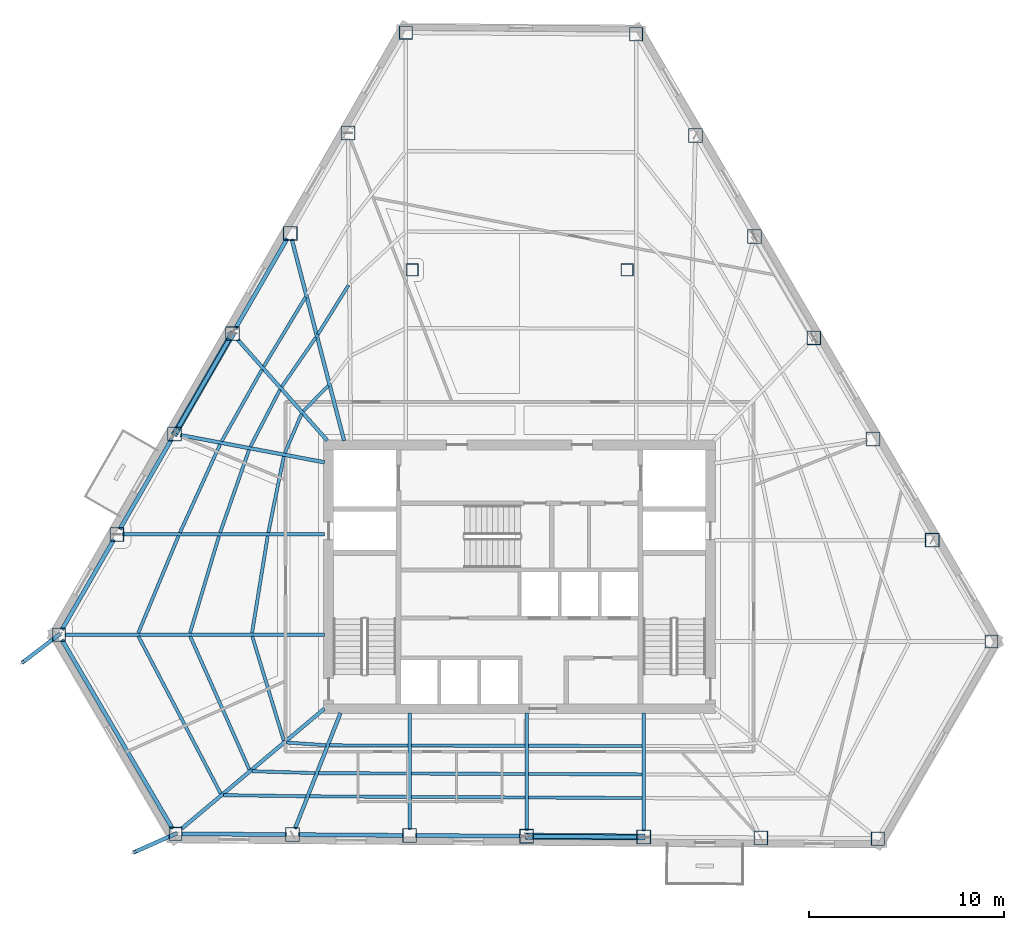
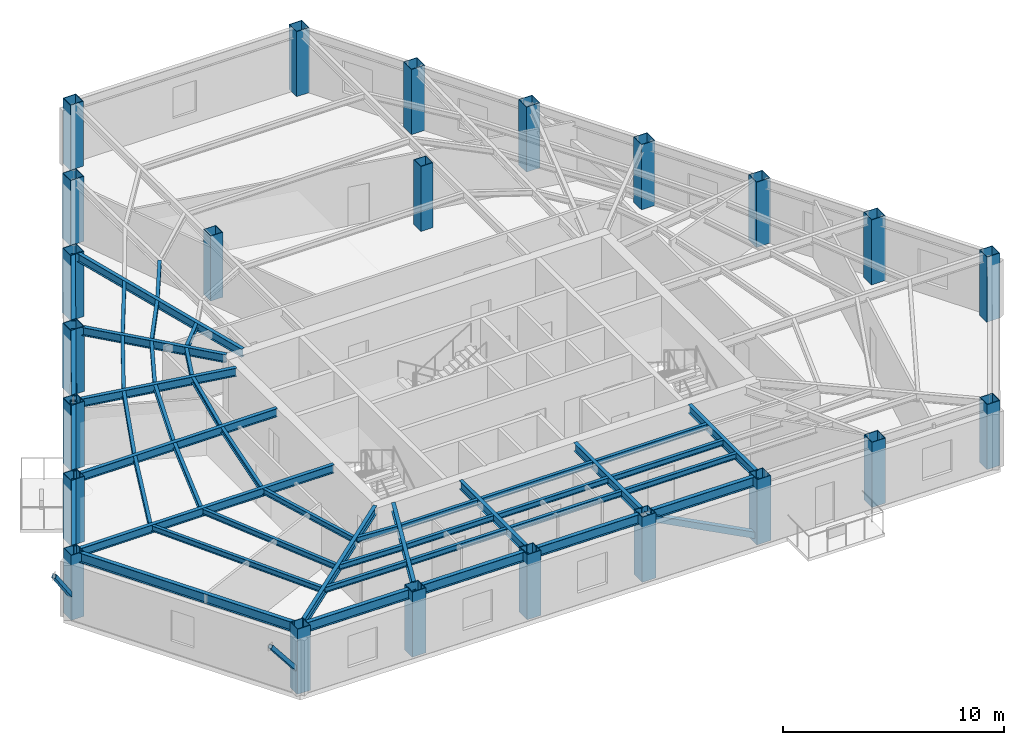
# One storey, part 1 of 12: 47 beams, 23 columns, 4 members.
"""IFC4 building model written with IfcOpenShell, lengths in metres."""

from ifc_helpers import new_model, si_unit, direction, frame, origin, origin_2d, place, context, subcontext, project, spatial, hollow_rectangle, i_section, extrude, material, material_profile, profile_set, type_object, element, save


model = new_model("IFC4")

# Units and contexts
model_context = context("Model", 3, precision=1e-05, world=origin(), true_north=direction((0.0, 1.0)))
body_context = subcontext(model_context, "Body", "Model", "MODEL_VIEW")
ifc_project = project(units=[si_unit("LENGTHUNIT", "METRE"), si_unit("AREAUNIT", "SQUARE_METRE"), si_unit("VOLUMEUNIT", "CUBIC_METRE"), si_unit("PLANEANGLEUNIT", "RADIAN"), si_unit("MASSUNIT", "GRAM", prefix="KILO")], contexts=[model_context])

# Site, building, storey
site_placement = place(None, origin())
site = spatial("IfcSite", under=ifc_project, at=site_placement, CompositionType="ELEMENT")
building_placement = place(site_placement, origin())
building = spatial("IfcBuilding", under=site, at=building_placement, Name="Kavelnor Concourse Tower", CompositionType="ELEMENT")
storey_placement = place(building_placement, frame((0.0, 0.0, 120.14990234375)))
storey = spatial("IfcBuildingStorey", under=building, at=storey_placement, Name="L30", CompositionType="ELEMENT", Elevation=120.14990234375)

# Columns
ifc_material = material(Name="Steel Grade 350", Category="steel")
ifc_material_profile_1 = material_profile(ifc_material, hollow_rectangle(XDim=0.679931640625, YDim=0.679931640625, WallThickness=0.030029296875, at=origin_2d()), Name="SHS 680x680x30")
ifc_profile_set_1 = profile_set([ifc_material_profile_1], Name="Steel Grade 350")
column_type_1 = type_object("IfcColumnType", Name="COL-FOLD-Z2", PredefinedType="COLUMN", material=ifc_profile_set_1)
for number, where, z_axis, x_axis, name in (
    (1, (32.183349609375, 43.943603515625, 0.0), (0.0, 0.0, 1.0), (1.0, 0.0, 0.0), "L30 Perimeter Corner-Fold Column F0-B0"),
    (2, (14.4384765625, 13.137939453125, 0.0), (0.0, 0.0, 1.0), (1.0, 0.0, 0.0), "L30 Perimeter Corner-Fold Column F0-B6"),
    (3, (20.40087890625, 2.950927734375, 0.0), (0.0, 0.0, 1.0), (1.0, 0.0, 0.0), "L30 Perimeter Corner-Fold Column F1-B0"),
    (4, (56.333984375, 2.70166015625, 0.0), (0.0, 0.0, 1.0), (1.0, 0.0, 0.0), "L30 Perimeter Corner-Fold Column F1-B6"),
    (5, (62.148193359375, 12.79541015625, 0.0), (0.0, 0.0, 1.0), (1.0, 0.0, 0.0), "L30 Perimeter Corner-Fold Column F2-B0"),
    (6, (43.96484375, 43.86181640625, 0.0), (0.0, 0.0, 1.0), (1.0, 0.0, 0.0), "L30 Perimeter Corner-Fold Column F2-B6"),
):
    element("IfcColumn", number, at=place(storey_placement, frame(where, z_axis=z_axis, x_axis=x_axis)), inside=storey, type_object=column_type_1, Name=name, PredefinedType="COLUMN", context=body_context, shape_type="SweptSolid", body=[
        extrude(hollow_rectangle(XDim=0.679931640625, YDim=0.679931640625, WallThickness=0.030029296875, at=origin_2d()), origin(), (0.0, 0.0, 1.0), 3.60009765625),
    ])
ifc_material_profile_2 = material_profile(ifc_material, hollow_rectangle(XDim=0.719970703125, YDim=0.719970703125, WallThickness=0.031982421875, at=origin_2d()), Name="SHS 720x720x32")
ifc_profile_set_2 = profile_set([ifc_material_profile_2], Name="Steel Grade 350")
column_type_2 = type_object("IfcColumnType", Name="COL-TUBE-Z2", PredefinedType="COLUMN", material=ifc_profile_set_2)
for number, where, z_axis, x_axis, name in (
    (7, (29.225830078125, 38.80908203125, 0.0), (0.0, 0.0, 1.0), (1.0, 0.0, 0.0), "L30 Perimeter Framed-Tube Column F0-B1"),
    (8, (26.268310546875, 33.675048828125, 0.0), (0.0, 0.0, 1.0), (1.0, 0.0, 0.0), "L30 Perimeter Framed-Tube Column F0-B2"),
    (9, (23.310791015625, 28.540771484375, 0.0), (0.0, 0.0, 1.0), (1.0, 0.0, 0.0), "L30 Perimeter Framed-Tube Column F0-B3"),
    (10, (20.353515625, 23.406494140625, 0.0), (0.0, 0.0, 1.0), (1.0, 0.0, 0.0), "L30 Perimeter Framed-Tube Column F0-B4"),
    (11, (17.39599609375, 18.272216796875, 0.0), (0.0, 0.0, 1.0), (1.0, 0.0, 0.0), "L30 Perimeter Framed-Tube Column F0-B5"),
    (12, (26.3896484375, 2.909423828125, 0.0), (0.0, 0.0, 1.0), (1.0, 0.0, 0.0), "L30 Perimeter Framed-Tube Column F1-B1"),
    (13, (32.378662109375, 2.867919921875, 0.0), (0.0, 0.0, 1.0), (1.0, 0.0, 0.0), "L30 Perimeter Framed-Tube Column F1-B2"),
    (14, (38.367431640625, 2.826416015625, 0.0), (0.0, 0.0, 1.0), (1.0, 0.0, 0.0), "L30 Perimeter Framed-Tube Column F1-B3"),
    (15, (44.356201171875, 2.784912109375, 0.0), (0.0, 0.0, 1.0), (1.0, 0.0, 0.0), "L30 Perimeter Framed-Tube Column F1-B4"),
    (16, (50.34521484375, 2.743408203125, 0.0), (0.0, 0.0, 1.0), (1.0, 0.0, 0.0), "L30 Perimeter Framed-Tube Column F1-B5"),
    (17, (59.11767578125, 17.97314453125, 0.0), (0.0, 0.0, 1.0), (1.0, 0.0, 0.0), "L30 Perimeter Framed-Tube Column F2-B1"),
    (18, (56.087158203125, 23.15087890625, 0.0), (0.0, 0.0, 1.0), (1.0, 0.0, 0.0), "L30 Perimeter Framed-Tube Column F2-B2"),
    (19, (53.056640625, 28.32861328125, 0.0), (0.0, 0.0, 1.0), (1.0, 0.0, 0.0), "L30 Perimeter Framed-Tube Column F2-B3"),
    (20, (50.02587890625, 33.50634765625, 0.0), (0.0, 0.0, 1.0), (1.0, 0.0, 0.0), "L30 Perimeter Framed-Tube Column F2-B4"),
    (21, (46.99560546875, 38.68408203125, 0.0), (0.0, 0.0, 1.0), (1.0, 0.0, 0.0), "L30 Perimeter Framed-Tube Column F2-B5"),
):
    element("IfcColumn", number, at=place(storey_placement, frame(where, z_axis=z_axis, x_axis=x_axis)), inside=storey, type_object=column_type_2, Name=name, PredefinedType="COLUMN", context=body_context, shape_type="SweptSolid", body=[
        extrude(hollow_rectangle(XDim=0.719970703125, YDim=0.719970703125, WallThickness=0.031982421875, at=origin_2d()), origin(), (0.0, 0.0, 1.0), 3.60009765625),
    ])
ifc_material_profile_3 = material_profile(ifc_material, hollow_rectangle(XDim=0.639892578125, YDim=0.639892578125, WallThickness=0.028076171875, at=origin_2d()), Name="SHS 640x640x28")
ifc_profile_set_3 = profile_set([ifc_material_profile_3], Name="Steel Grade 350")
column_type_3 = type_object("IfcColumnType", Name="COL-TUBE-Z3", PredefinedType="COLUMN", material=ifc_profile_set_3)
for number, where, z_axis, x_axis, name in (
    (22, (32.5, 31.800048828125, 0.0), (0.0, 0.0, 1.0), (1.0, 0.0, 0.0), "L30 North Interior Gravity Column BC-NW"),
    (23, (43.5, 31.800048828125, 0.0), (0.0, 0.0, 1.0), (1.0, 0.0, 0.0), "L30 North Interior Gravity Column BC-NE"),
):
    element("IfcColumn", number, at=place(storey_placement, frame(where, z_axis=z_axis, x_axis=x_axis)), inside=storey, type_object=column_type_3, Name=name, PredefinedType="COLUMN", context=body_context, shape_type="SweptSolid", body=[
        extrude(hollow_rectangle(XDim=0.639892578125, YDim=0.639892578125, WallThickness=0.028076171875, at=origin_2d()), origin(), (0.0, 0.0, 1.0), 3.60009765625),
    ])

# Beams
ifc_material_profile_4 = material_profile(ifc_material, i_section(OverallWidth=0.166015625, OverallDepth=0.306884765625, WebThickness=0.006591796875, FlangeThickness=0.01171875, at=origin_2d()), Name="310UB46")
ifc_profile_set_4 = profile_set([ifc_material_profile_4], Name="Steel Grade 350")
beam_type_1 = type_object("IfcBeamType", Name="BM-JOIST-310", PredefinedType="JOIST", material=ifc_profile_set_4)
beam_1_placement = place(storey_placement, frame((24.326904296875, 13.052734375, 3.446533203125), z_axis=(0.28945200807, -0.957192527669, 0.0), x_axis=(0.957192527669, 0.28945200807, 0.0)))
element("IfcBeam", 24, at=beam_1_placement, inside=storey, type_object=beam_type_1, Name="L30 Secondary Composite Joist 01-1", PredefinedType="JOIST", context=body_context, shape_type="SweptSolid", body=[
    extrude(i_section(OverallWidth=0.166015625, OverallDepth=0.306884765625, WebThickness=0.006591796875, FlangeThickness=0.01171875, at=origin_2d()), origin(), (0.0, 0.0, 1.0), 5.576171875),
])
beam_2_placement = place(storey_placement, frame((21.149658203125, 13.056640625, 3.446533203125), z_axis=(0.405947170764, -0.913896544774, 0.0), x_axis=(0.913896544774, 0.405947170764, 0.0)))
element("IfcBeam", 25, at=beam_2_placement, inside=storey, type_object=beam_type_1, Name="L30 Secondary Composite Joist 01-2", PredefinedType="JOIST", context=body_context, shape_type="SweptSolid", body=[
    extrude(i_section(OverallWidth=0.166015625, OverallDepth=0.306884765625, WebThickness=0.006591796875, FlangeThickness=0.01171875, at=origin_2d()), origin(), (0.0, 0.0, 1.0), 7.46044921875),
])
beam_3_placement = place(storey_placement, frame((18.49853515625, 13.05908203125, 3.446533203125), z_axis=(0.463804189612, -0.88593773692, 0.0), x_axis=(0.88593773692, 0.463804189612, 0.0)))
element("IfcBeam", 26, at=beam_3_placement, inside=storey, type_object=beam_type_1, Name="L30 Secondary Composite Joist 01-3", PredefinedType="JOIST", context=body_context, shape_type="SweptSolid", body=[
    extrude(i_section(OverallWidth=0.166015625, OverallDepth=0.306884765625, WebThickness=0.006591796875, FlangeThickness=0.01171875, at=origin_2d()), origin(), (0.0, 0.0, 1.0), 9.0869140625),
])
beam_4_placement = place(storey_placement, frame((26.055419921875, 7.6240234375, 3.446533203125), z_axis=(0.997677443507, -0.068115480746, 0.0), x_axis=(0.068115480746, 0.997677443507, 0.0)))
element("IfcBeam", 27, at=beam_4_placement, inside=storey, type_object=beam_type_1, Name="L30 Secondary Composite Joist 02-1", PredefinedType="JOIST", context=body_context, shape_type="SweptSolid", body=[
    extrude(i_section(OverallWidth=0.166015625, OverallDepth=0.306884765625, WebThickness=0.006591796875, FlangeThickness=0.01171875, at=origin_2d()), origin(), (0.0, 0.0, 1.0), 2.05029296875),
])
beam_5_placement = place(storey_placement, frame((24.303466796875, 6.154541015625, 3.446533203125), z_axis=(0.999563181046, -0.029554138405, 0.0), x_axis=(0.029554138405, 0.999563181046, 0.0)))
element("IfcBeam", 28, at=beam_5_placement, inside=storey, type_object=beam_type_1, Name="L30 Secondary Composite Joist 02-2", PredefinedType="JOIST", context=body_context, shape_type="SweptSolid", body=[
    extrude(i_section(OverallWidth=0.166015625, OverallDepth=0.306884765625, WebThickness=0.006591796875, FlangeThickness=0.01171875, at=origin_2d()), origin(), (0.0, 0.0, 1.0), 3.23828125),
])
beam_6_placement = place(storey_placement, frame((22.843505859375, 4.928466796875, 3.446533203125), z_axis=(0.999912665175, -0.013215976009, 0.0), x_axis=(0.013215976009, 0.999912665175, 0.0)))
element("IfcBeam", 29, at=beam_6_placement, inside=storey, type_object=beam_type_1, Name="L30 Secondary Composite Joist 02-3", PredefinedType="JOIST", context=body_context, shape_type="SweptSolid", body=[
    extrude(i_section(OverallWidth=0.166015625, OverallDepth=0.306884765625, WebThickness=0.006591796875, FlangeThickness=0.01171875, at=origin_2d()), origin(), (0.0, 0.0, 1.0), 4.23046875),
])
beam_7_placement = place(storey_placement, frame((28.278564453125, 7.47802734375, 3.446533203125), z_axis=(0.999996886037, -0.0024955793, 0.0), x_axis=(0.0024955793, 0.999996886037, 0.0)))
element("IfcBeam", 30, at=beam_7_placement, inside=storey, type_object=beam_type_1, Name="L30 Secondary Composite Joist 03-1", PredefinedType="JOIST", context=body_context, shape_type="SweptSolid", body=[
    extrude(i_section(OverallWidth=0.166015625, OverallDepth=0.306884765625, WebThickness=0.006591796875, FlangeThickness=0.01171875, at=origin_2d()), origin(), (0.0, 0.0, 1.0), 4.010986328125),
])
beam_8_placement = place(storey_placement, frame((27.718505859375, 6.055908203125, 3.446533203125), z_axis=(0.999989451052, -0.004593232537, 0.0), x_axis=(0.004593232537, 0.999989451052, 0.0)))
element("IfcBeam", 31, at=beam_8_placement, inside=storey, type_object=beam_type_1, Name="L30 Secondary Composite Joist 03-2", PredefinedType="JOIST", context=body_context, shape_type="SweptSolid", body=[
    extrude(i_section(OverallWidth=0.166015625, OverallDepth=0.306884765625, WebThickness=0.006591796875, FlangeThickness=0.01171875, at=origin_2d()), origin(), (0.0, 0.0, 1.0), 4.571044921875),
])
beam_9_placement = place(storey_placement, frame((27.25146484375, 4.87060546875, 3.446533203125), z_axis=(0.999982236947, -0.005960351577, 0.0), x_axis=(0.005960351577, 0.999982236947, 0.0)))
element("IfcBeam", 32, at=beam_9_placement, inside=storey, type_object=beam_type_1, Name="L30 Secondary Composite Joist 03-3", PredefinedType="JOIST", context=body_context, shape_type="SweptSolid", body=[
    extrude(i_section(OverallWidth=0.166015625, OverallDepth=0.306884765625, WebThickness=0.006591796875, FlangeThickness=0.01171875, at=origin_2d()), origin(), (0.0, 0.0, 1.0), 5.0380859375),
])
for number, where, z_axis, x_axis, name in (
    (33, (32.467529296875, 7.467529296875, 3.446533203125), (0.999998132513, -0.001932607096, 0.0), (0.001932607096, 0.999998132513, 0.0), "L30 Secondary Composite Joist 04-1"),
    (34, (32.467529296875, 6.0341796875, 3.446533203125), (0.999993472667, -0.003613118169, 0.0), (0.003613118169, 0.999993472667, 0.0), "L30 Secondary Composite Joist 04-2"),
    (35, (32.467529296875, 4.839599609375, 3.446533203125), (0.999987711493, -0.00495750567, 0.0), (0.00495750567, 0.999987711493, 0.0), "L30 Secondary Composite Joist 04-3"),
):
    element("IfcBeam", number, at=place(storey_placement, frame(where, z_axis=z_axis, x_axis=x_axis)), inside=storey, type_object=beam_type_1, Name=name, PredefinedType="JOIST", context=body_context, shape_type="SweptSolid", body=[
        extrude(i_section(OverallWidth=0.166015625, OverallDepth=0.306884765625, WebThickness=0.006591796875, FlangeThickness=0.01171875, at=origin_2d()), origin(), (0.0, 0.0, 1.0), 5.81103515625),
    ])
for number, where, z_axis, x_axis, name in (
    (36, (38.45654296875, 7.4560546875, 3.446533203125), (0.999998050272, -0.001974703095, 0.0), (0.001974703095, 0.999998050272, 0.0), "L30 Secondary Composite Joist 05-1"),
    (37, (38.45654296875, 6.0126953125, 3.446533203125), (0.999993472119, -0.003613269972, 0.0), (0.003613269972, 0.999993472119, 0.0), "L30 Secondary Composite Joist 05-2"),
    (38, (38.45654296875, 4.809814453125, 3.446533203125), (0.999987501285, -0.004999727434, 0.0), (0.004999727434, 0.999987501285, 0.0), "L30 Secondary Composite Joist 05-3"),
):
    element("IfcBeam", number, at=place(storey_placement, frame(where, z_axis=z_axis, x_axis=x_axis)), inside=storey, type_object=beam_type_1, Name=name, PredefinedType="JOIST", context=body_context, shape_type="SweptSolid", body=[
        extrude(i_section(OverallWidth=0.166015625, OverallDepth=0.306884765625, WebThickness=0.006591796875, FlangeThickness=0.01171875, at=origin_2d()), origin(), (0.0, 0.0, 1.0), 5.810791015625),
    ])
beam_10_placement = place(storey_placement, frame((29.248291015625, 31.01806640625, 3.446533203125), z_axis=(-0.528570758899, -0.848889246508, 0.0), x_axis=(0.848889246508, -0.528570758899, 0.0)))
element("IfcBeam", 39, at=beam_10_placement, inside=storey, type_object=beam_type_1, Name="L30 Secondary Composite Joist 17-2", PredefinedType="JOIST", context=body_context, shape_type="SweptSolid", body=[
    extrude(i_section(OverallWidth=0.166015625, OverallDepth=0.306884765625, WebThickness=0.006591796875, FlangeThickness=0.01171875, at=origin_2d()), origin(), (0.0, 0.0, 1.0), 2.96728515625),
])
beam_11_placement = place(storey_placement, frame((28.214111328125, 25.885009765625, 3.446533203125), z_axis=(-0.696982685679, -0.717087955458, 0.0), x_axis=(0.717087955458, -0.696982685679, 0.0)))
element("IfcBeam", 40, at=beam_11_placement, inside=storey, type_object=beam_type_1, Name="L30 Secondary Composite Joist 18-1", PredefinedType="JOIST", context=body_context, shape_type="SweptSolid", body=[
    extrude(i_section(OverallWidth=0.166015625, OverallDepth=0.306884765625, WebThickness=0.006591796875, FlangeThickness=0.01171875, at=origin_2d()), origin(), (0.0, 0.0, 1.0), 1.821533203125),
])
beam_12_placement = place(storey_placement, frame((27.582275390625, 28.3505859375, 3.446533203125), z_axis=(-0.569313355719, -0.822120613414, 0.0), x_axis=(0.822120613414, -0.569313355719, 0.0)))
element("IfcBeam", 41, at=beam_12_placement, inside=storey, type_object=beam_type_1, Name="L30 Secondary Composite Joist 18-2", PredefinedType="JOIST", context=body_context, shape_type="SweptSolid", body=[
    extrude(i_section(OverallWidth=0.166015625, OverallDepth=0.306884765625, WebThickness=0.006591796875, FlangeThickness=0.01171875, at=origin_2d()), origin(), (0.0, 0.0, 1.0), 3.070068359375),
])
beam_13_placement = place(storey_placement, frame((27.051025390625, 30.409912109375, 3.446533203125), z_axis=(-0.515977201683, -0.856602315747, 0.0), x_axis=(0.856602315747, -0.515977201683, 0.0)))
element("IfcBeam", 42, at=beam_13_placement, inside=storey, type_object=beam_type_1, Name="L30 Secondary Composite Joist 18-3", PredefinedType="JOIST", context=body_context, shape_type="SweptSolid", body=[
    extrude(i_section(OverallWidth=0.166015625, OverallDepth=0.306884765625, WebThickness=0.006591796875, FlangeThickness=0.01171875, at=origin_2d()), origin(), (0.0, 0.0, 1.0), 4.14208984375),
])
beam_14_placement = place(storey_placement, frame((26.84765625, 24.43310546875, 3.446533203125), z_axis=(-0.392674987348, -0.919677309882, 0.0), x_axis=(0.919677309882, -0.392674987348, 0.0)))
element("IfcBeam", 43, at=beam_14_placement, inside=storey, type_object=beam_type_1, Name="L30 Secondary Composite Joist 19-1", PredefinedType="JOIST", context=body_context, shape_type="SweptSolid", body=[
    extrude(i_section(OverallWidth=0.166015625, OverallDepth=0.306884765625, WebThickness=0.006591796875, FlangeThickness=0.01171875, at=origin_2d()), origin(), (0.0, 0.0, 1.0), 2.17919921875),
])
beam_15_placement = place(storey_placement, frame((25.74267578125, 25.674560546875, 3.446533203125), z_axis=(-0.460577600958, -0.88761944182, 0.0), x_axis=(0.88761944182, -0.460577600958, 0.0)))
element("IfcBeam", 44, at=beam_15_placement, inside=storey, type_object=beam_type_1, Name="L30 Secondary Composite Joist 19-2", PredefinedType="JOIST", context=body_context, shape_type="SweptSolid", body=[
    extrude(i_section(OverallWidth=0.166015625, OverallDepth=0.306884765625, WebThickness=0.006591796875, FlangeThickness=0.01171875, at=origin_2d()), origin(), (0.0, 0.0, 1.0), 3.283203125),
])
beam_16_placement = place(storey_placement, frame((24.824462890625, 26.7080078125, 3.446533203125), z_axis=(-0.490208943778, -0.871604951478, 0.0), x_axis=(0.871604951478, -0.490208943778, 0.0)))
element("IfcBeam", 45, at=beam_16_placement, inside=storey, type_object=beam_type_1, Name="L30 Secondary Composite Joist 19-3", PredefinedType="JOIST", context=body_context, shape_type="SweptSolid", body=[
    extrude(i_section(OverallWidth=0.166015625, OverallDepth=0.306884765625, WebThickness=0.006591796875, FlangeThickness=0.01171875, at=origin_2d()), origin(), (0.0, 0.0, 1.0), 4.21142578125),
])
beam_17_placement = place(storey_placement, frame((25.939208984375, 22.260009765625, 3.446533203125), z_axis=(-0.199040595349, -0.979991245575, 0.0), x_axis=(0.979991245575, -0.199040595349, 0.0)))
element("IfcBeam", 46, at=beam_17_placement, inside=storey, type_object=beam_type_1, Name="L30 Secondary Composite Joist 20-1", PredefinedType="JOIST", context=body_context, shape_type="SweptSolid", body=[
    extrude(i_section(OverallWidth=0.166015625, OverallDepth=0.306884765625, WebThickness=0.006591796875, FlangeThickness=0.01171875, at=origin_2d()), origin(), (0.0, 0.0, 1.0), 3.980224609375),
])
beam_18_placement = place(storey_placement, frame((24.16015625, 22.597412109375, 3.446533203125), z_axis=(-0.329323699591, -0.944217083561, 0.0), x_axis=(0.944217083561, -0.329323699591, 0.0)))
element("IfcBeam", 47, at=beam_18_placement, inside=storey, type_object=beam_type_1, Name="L30 Secondary Composite Joist 20-2", PredefinedType="JOIST", context=body_context, shape_type="SweptSolid", body=[
    extrude(i_section(OverallWidth=0.166015625, OverallDepth=0.306884765625, WebThickness=0.006591796875, FlangeThickness=0.01171875, at=origin_2d()), origin(), (0.0, 0.0, 1.0), 4.49169921875),
])
beam_19_placement = place(storey_placement, frame((22.679443359375, 22.87890625, 3.446533203125), z_axis=(-0.413603107541, -0.910457285891, 0.0), x_axis=(0.910457285891, -0.413603107541, 0.0)))
element("IfcBeam", 48, at=beam_19_placement, inside=storey, type_object=beam_type_1, Name="L30 Secondary Composite Joist 20-3", PredefinedType="JOIST", context=body_context, shape_type="SweptSolid", body=[
    extrude(i_section(OverallWidth=0.166015625, OverallDepth=0.306884765625, WebThickness=0.006591796875, FlangeThickness=0.01171875, at=origin_2d()), origin(), (0.0, 0.0, 1.0), 4.970703125),
])
beam_20_placement = place(storey_placement, frame((25.114990234375, 18.184326171875, 3.446533203125), z_axis=(-0.159241608382, -0.987239641708, 0.0), x_axis=(0.987239641708, -0.159241608382, 0.0)))
element("IfcBeam", 49, at=beam_20_placement, inside=storey, type_object=beam_type_1, Name="L30 Secondary Composite Joist 21-1", PredefinedType="JOIST", context=body_context, shape_type="SweptSolid", body=[
    extrude(i_section(OverallWidth=0.166015625, OverallDepth=0.306884765625, WebThickness=0.006591796875, FlangeThickness=0.01171875, at=origin_2d()), origin(), (0.0, 0.0, 1.0), 5.022705078125),
])
beam_21_placement = place(storey_placement, frame((22.6259765625, 18.18701171875, 3.446533203125), z_axis=(-0.286945848177, -0.95794680448, 0.0), x_axis=(0.95794680448, -0.286945848177, 0.0)))
element("IfcBeam", 50, at=beam_21_placement, inside=storey, type_object=beam_type_1, Name="L30 Secondary Composite Joist 21-2", PredefinedType="JOIST", context=body_context, shape_type="SweptSolid", body=[
    extrude(i_section(OverallWidth=0.166015625, OverallDepth=0.306884765625, WebThickness=0.006591796875, FlangeThickness=0.01171875, at=origin_2d()), origin(), (0.0, 0.0, 1.0), 5.181640625),
])
beam_22_placement = place(storey_placement, frame((20.552490234375, 18.18994140625, 3.446533203125), z_axis=(-0.383119848517, -0.923698642238, 0.0), x_axis=(0.923698642238, -0.383119848517, 0.0)))
element("IfcBeam", 51, at=beam_22_placement, inside=storey, type_object=beam_type_1, Name="L30 Secondary Composite Joist 21-3", PredefinedType="JOIST", context=body_context, shape_type="SweptSolid", body=[
    extrude(i_section(OverallWidth=0.166015625, OverallDepth=0.306884765625, WebThickness=0.006591796875, FlangeThickness=0.01171875, at=origin_2d()), origin(), (0.0, 0.0, 1.0), 5.380126953125),
])
ifc_material_profile_5 = material_profile(ifc_material, i_section(OverallWidth=0.18994140625, OverallDepth=0.4541015625, WebThickness=0.008544921875, FlangeThickness=0.0126953125, at=origin_2d()), Name="460UB67")
ifc_profile_set_5 = profile_set([ifc_material_profile_5], Name="Steel Grade 350")
beam_type_2 = type_object("IfcBeamType", Name="BM-PRIMARY-460", PredefinedType="BEAM", material=ifc_profile_set_5)
beam_23_placement = place(storey_placement, frame((29.0263671875, 23.061279296875, 3.373046875), z_axis=(-0.251496489561, 0.967858210555, 0.0), x_axis=(-0.967858210555, -0.251496489561, 0.0)))
element("IfcBeam", 52, at=beam_23_placement, inside=storey, type_object=beam_type_2, Name="L30 Primary Floor Girder F0-B2", PredefinedType="BEAM", context=body_context, shape_type="SweptSolid", body=[
    extrude(i_section(OverallWidth=0.18994140625, OverallDepth=0.4541015625, WebThickness=0.008544921875, FlangeThickness=0.0126953125, at=origin_2d()), origin(), (0.0, 0.0, 1.0), 10.655029296875),
])
beam_24_placement = place(storey_placement, frame((28.16455078125, 23.070068359375, 3.373046875), z_axis=(-0.663665064376, 0.74802986727, 0.0), x_axis=(-0.74802986727, -0.663665064376, 0.0)))
element("IfcBeam", 53, at=beam_24_placement, inside=storey, type_object=beam_type_2, Name="L30 Primary Floor Girder F0-B3", PredefinedType="BEAM", context=body_context, shape_type="SweptSolid", body=[
    extrude(i_section(OverallWidth=0.18994140625, OverallDepth=0.4541015625, WebThickness=0.008544921875, FlangeThickness=0.0126953125, at=origin_2d()), origin(), (0.0, 0.0, 1.0), 6.89892578125),
])
beam_25_placement = place(storey_placement, frame((28.019287109375, 21.957275390625, 3.373046875), z_axis=(-0.982596765526, 0.185751437079, 0.0), x_axis=(-0.185751437079, -0.982596765526, 0.0)))
element("IfcBeam", 54, at=beam_25_placement, inside=storey, type_object=beam_type_2, Name="L30 Primary Floor Girder F0-B4", PredefinedType="BEAM", context=body_context, shape_type="SweptSolid", body=[
    extrude(i_section(OverallWidth=0.18994140625, OverallDepth=0.4541015625, WebThickness=0.008544921875, FlangeThickness=0.0126953125, at=origin_2d()), origin(), (0.0, 0.0, 1.0), 7.49560546875),
])
beam_26_placement = place(storey_placement, frame((28.02001953125, 18.272216796875, 3.373046875), z_axis=(-1.0, 0.0, 0.0), x_axis=(0.0, -1.0, 0.0)))
element("IfcBeam", 55, at=beam_26_placement, inside=storey, type_object=beam_type_2, Name="L30 Primary Floor Girder F0-B5", PredefinedType="BEAM", context=body_context, shape_type="SweptSolid", body=[
    extrude(i_section(OverallWidth=0.18994140625, OverallDepth=0.4541015625, WebThickness=0.008544921875, FlangeThickness=0.0126953125, at=origin_2d()), origin(), (0.0, 0.0, 1.0), 10.32421875),
])
beam_27_placement = place(storey_placement, frame((28.02001953125, 13.137939453125, 3.373046875), z_axis=(-1.0, 0.0, 0.0), x_axis=(0.0, -1.0, 0.0)))
element("IfcBeam", 56, at=beam_27_placement, inside=storey, type_object=beam_type_2, Name="L30 Primary Floor Girder F0-B6", PredefinedType="BEAM", context=body_context, shape_type="SweptSolid", body=[
    extrude(i_section(OverallWidth=0.18994140625, OverallDepth=0.4541015625, WebThickness=0.008544921875, FlangeThickness=0.0126953125, at=origin_2d()), origin(), (0.0, 0.0, 1.0), 13.28173828125),
])
beam_28_placement = place(storey_placement, frame((28.010498046875, 9.3486328125, 3.373046875), z_axis=(-0.76543601731, -0.643512007195, 0.0), x_axis=(0.643512007195, -0.76543601731, 0.0)))
element("IfcBeam", 57, at=beam_28_placement, inside=storey, type_object=beam_type_2, Name="L30 Primary Floor Girder F1-B0", PredefinedType="BEAM", context=body_context, shape_type="SweptSolid", body=[
    extrude(i_section(OverallWidth=0.18994140625, OverallDepth=0.4541015625, WebThickness=0.008544921875, FlangeThickness=0.0126953125, at=origin_2d()), origin(), (0.0, 0.0, 1.0), 9.537353515625),
])
beam_29_placement = place(storey_placement, frame((28.843017578125, 9.13720703125, 3.373046875), z_axis=(-0.366520495531, -0.930409977567, 0.0), x_axis=(0.930409977567, -0.366520495531, 0.0)))
element("IfcBeam", 58, at=beam_29_placement, inside=storey, type_object=beam_type_2, Name="L30 Primary Floor Girder F1-B1", PredefinedType="BEAM", context=body_context, shape_type="SweptSolid", body=[
    extrude(i_section(OverallWidth=0.18994140625, OverallDepth=0.4541015625, WebThickness=0.008544921875, FlangeThickness=0.0126953125, at=origin_2d()), origin(), (0.0, 0.0, 1.0), 6.367919921875),
])
beam_30_placement = place(storey_placement, frame((32.378662109375, 9.139892578125, 3.373046875), z_axis=(0.0, -1.0, 0.0), x_axis=(1.0, 0.0, 0.0)))
element("IfcBeam", 59, at=beam_30_placement, inside=storey, type_object=beam_type_2, Name="L30 Primary Floor Girder F1-B2", PredefinedType="BEAM", context=body_context, shape_type="SweptSolid", body=[
    extrude(i_section(OverallWidth=0.18994140625, OverallDepth=0.4541015625, WebThickness=0.008544921875, FlangeThickness=0.0126953125, at=origin_2d()), origin(), (0.0, 0.0, 1.0), 5.971923828125),
])
beam_31_placement = place(storey_placement, frame((38.367431640625, 9.139892578125, 3.373046875), z_axis=(0.0, -1.0, 0.0), x_axis=(1.0, 0.0, 0.0)))
element("IfcBeam", 60, at=beam_31_placement, inside=storey, type_object=beam_type_2, Name="L30 Primary Floor Girder F1-B3", PredefinedType="BEAM", context=body_context, shape_type="SweptSolid", body=[
    extrude(i_section(OverallWidth=0.18994140625, OverallDepth=0.4541015625, WebThickness=0.008544921875, FlangeThickness=0.0126953125, at=origin_2d()), origin(), (0.0, 0.0, 1.0), 6.013427734375),
])
beam_32_placement = place(storey_placement, frame((44.356201171875, 9.139892578125, 3.373046875), z_axis=(0.0, -1.0, 0.0), x_axis=(1.0, 0.0, 0.0)))
element("IfcBeam", 61, at=beam_32_placement, inside=storey, type_object=beam_type_2, Name="L30 Primary Floor Girder F1-B4", PredefinedType="BEAM", context=body_context, shape_type="SweptSolid", body=[
    extrude(i_section(OverallWidth=0.18994140625, OverallDepth=0.4541015625, WebThickness=0.008544921875, FlangeThickness=0.0126953125, at=origin_2d()), origin(), (0.0, 0.0, 1.0), 6.05517578125),
])
ifc_material_profile_6 = material_profile(ifc_material, i_section(OverallWidth=0.208984375, OverallDepth=0.532958984375, WebThickness=0.01025390625, FlangeThickness=0.015625, at=origin_2d()), Name="530UB92")
ifc_profile_set_6 = profile_set([ifc_material_profile_6], Name="Steel Grade 350")
beam_type_3 = type_object("IfcBeamType", Name="BM-SPANDREL-Z2", PredefinedType="SPANDREL", material=ifc_profile_set_6)
beam_33_placement = place(storey_placement, frame((26.1162109375, 33.41064453125, 3.33349609375), z_axis=(-0.499148417021, -0.866516507509, 0.0), x_axis=(0.866516507509, -0.499148417021, 0.0)))
element("IfcBeam", 62, at=beam_33_placement, inside=storey, type_object=beam_type_3, Name="L30 Perimeter Tube Spandrel Beam F0-B2", PredefinedType="SPANDREL", context=body_context, shape_type="SweptSolid", body=[
    extrude(i_section(OverallWidth=0.208984375, OverallDepth=0.532958984375, WebThickness=0.01025390625, FlangeThickness=0.015625, at=origin_2d()), origin(), (0.0, 0.0, 1.0), 5.315185546875),
])
for number, where, z_axis, x_axis, name in (
    (63, (23.15869140625, 28.2763671875, 3.33349609375), (-0.499168284419, -0.866505062784, 0.0), (0.866505062784, -0.499168284419, 0.0), "L30 Perimeter Tube Spandrel Beam F0-B3"),
    (64, (20.201171875, 23.14208984375, 3.33349609375), (-0.499168284419, -0.866505062784, 0.0), (0.866505062784, -0.499168284419, 0.0), "L30 Perimeter Tube Spandrel Beam F0-B4"),
    (65, (17.24365234375, 18.0078125, 3.33349609375), (-0.499168284419, -0.866505062784, 0.0), (0.866505062784, -0.499168284419, 0.0), "L30 Perimeter Tube Spandrel Beam F0-B5"),
):
    element("IfcBeam", number, at=place(storey_placement, frame(where, z_axis=z_axis, x_axis=x_axis)), inside=storey, type_object=beam_type_3, Name=name, PredefinedType="SPANDREL", context=body_context, shape_type="SweptSolid", body=[
        extrude(i_section(OverallWidth=0.208984375, OverallDepth=0.532958984375, WebThickness=0.01025390625, FlangeThickness=0.015625, at=origin_2d()), origin(), (0.0, 0.0, 1.0), 5.31494140625),
    ])
for number, where, z_axis, x_axis, name in (
    (66, (20.705810546875, 2.948974609375, 3.33349609375), (0.999975888218, -0.006944277002, 0.0), (0.006944277002, 0.999975888218, 0.0), "L30 Perimeter Tube Spandrel Beam F1-B0"),
    (67, (26.694580078125, 2.907470703125, 3.33349609375), (0.999975888218, -0.006944277002, 0.0), (0.006944277002, 0.999975888218, 0.0), "L30 Perimeter Tube Spandrel Beam F1-B1"),
    (68, (32.68359375, 2.86572265625, 3.33349609375), (0.999976202363, -0.006898891737, 0.0), (0.006898891737, 0.999976202363, 0.0), "L30 Perimeter Tube Spandrel Beam F1-B2"),
):
    element("IfcBeam", number, at=place(storey_placement, frame(where, z_axis=z_axis, x_axis=x_axis)), inside=storey, type_object=beam_type_3, Name=name, PredefinedType="SPANDREL", context=body_context, shape_type="SweptSolid", body=[
        extrude(i_section(OverallWidth=0.208984375, OverallDepth=0.532958984375, WebThickness=0.01025390625, FlangeThickness=0.015625, at=origin_2d()), origin(), (0.0, 0.0, 1.0), 5.379150390625),
    ])
beam_34_placement = place(storey_placement, frame((38.672607421875, 2.82421875, 3.33349609375), z_axis=(0.999975886029, -0.006944592191, 0.0), x_axis=(0.006944592191, 0.999975886029, 0.0)))
element("IfcBeam", 69, at=beam_34_placement, inside=storey, type_object=beam_type_3, Name="L30 Perimeter Tube Spandrel Beam F1-B3", PredefinedType="SPANDREL", context=body_context, shape_type="SweptSolid", body=[
    extrude(i_section(OverallWidth=0.208984375, OverallDepth=0.532958984375, WebThickness=0.01025390625, FlangeThickness=0.015625, at=origin_2d()), origin(), (0.0, 0.0, 1.0), 5.37890625),
])
beam_35_placement = place(storey_placement, frame((14.592529296875, 12.874755859375, 3.33349609375), z_axis=(0.50513165638, -0.863042298919, 0.0), x_axis=(0.863042298919, 0.50513165638, 0.0)))
element("IfcBeam", 70, at=beam_35_placement, inside=storey, type_object=beam_type_3, Name="L30 Chamfer Facet Spandrel Beam C1", PredefinedType="SPANDREL", context=body_context, shape_type="SweptSolid", body=[
    extrude(i_section(OverallWidth=0.208984375, OverallDepth=0.532958984375, WebThickness=0.01025390625, FlangeThickness=0.015625, at=origin_2d()), origin(), (0.0, 0.0, 1.0), 11.193603515625),
])

# Members
ifc_material_profile_7 = material_profile(ifc_material, hollow_rectangle(XDim=0.199951171875, YDim=0.199951171875, WallThickness=0.011962890625, at=origin_2d()), Name="SHS 200x200x12")
ifc_profile_set_7 = profile_set([ifc_material_profile_7], Name="Steel Grade 350")
member_type_1 = type_object("IfcMemberType", Name="MBR-TERR-STRUT-200", PredefinedType="STRUT", material=ifc_profile_set_7)
member_1_placement = place(storey_placement, frame((14.4384765625, 13.137939453125, 0.900146484375), z_axis=(-0.514354025033, -0.390808205295, 0.763353708058), x_axis=(0.604984299256, -0.796237400311, 0.0)))
element("IfcMember", 71, at=member_1_placement, inside=storey, type_object=member_type_1, Name="L30 Spiral Terrace Raking Knee Strut C1-A", PredefinedType="STRUT", context=body_context, shape_type="SweptSolid", body=[
    extrude(hollow_rectangle(XDim=0.199951171875, YDim=0.199951171875, WallThickness=0.011962890625, at=origin_2d()), origin(), (0.0, 0.0, 1.0), 3.582763671875),
])
member_2_placement = place(storey_placement, frame((20.40087890625, 2.950927734375, 0.900146484375), z_axis=(-0.587498547315, -0.261307977172, 0.76587440091), x_axis=(0.406394958548, -0.913697508844, 0.0)))
element("IfcMember", 72, at=member_2_placement, inside=storey, type_object=member_type_1, Name="L30 Spiral Terrace Raking Knee Strut C1-B", PredefinedType="STRUT", context=body_context, shape_type="SweptSolid", body=[
    extrude(hollow_rectangle(XDim=0.199951171875, YDim=0.199951171875, WallThickness=0.011962890625, at=origin_2d()), origin(), (0.0, 0.0, 1.0), 3.57080078125),
])
ifc_material_profile_8 = material_profile(ifc_material, hollow_rectangle(XDim=0.320068359375, YDim=0.320068359375, WallThickness=0.01806640625, at=origin_2d()), Name="SHS 320x320x18")
ifc_profile_set_8 = profile_set([ifc_material_profile_8], Name="Steel Grade 350")
member_type_2 = type_object("IfcMemberType", Name="MBR-TUBE-DIAG-Z2", PredefinedType="BRACE", material=ifc_profile_set_8)
member_3_placement = place(storey_placement, frame((23.310791015625, 28.540771484375, 0.22021484375), z_axis=(-0.441833428039, -0.767089655053, 0.465141573049), x_axis=(0.866536596012, -0.499113541964, 0.0)))
element("IfcMember", 73, at=member_3_placement, inside=storey, type_object=member_type_2, Name="L30 Framed-Tube Bracing Diagonal F0-B3", PredefinedType="BRACE", context=body_context, shape_type="SweptSolid", body=[
    extrude(hollow_rectangle(XDim=0.320068359375, YDim=0.320068359375, WallThickness=0.01806640625, at=origin_2d()), origin(), (0.0, 0.0, 1.0), 6.693115234375),
])
member_4_placement = place(storey_placement, frame((44.356201171875, 2.784912109375, 0.22021484375), z_axis=(-0.887253321213, 0.006148922324, 0.461241514558), x_axis=(-0.00693012302, -0.999975986409, 0.0)))
element("IfcMember", 74, at=member_4_placement, inside=storey, type_object=member_type_2, Name="L30 Framed-Tube Bracing Diagonal F1-B3", PredefinedType="BRACE", context=body_context, shape_type="SweptSolid", body=[
    extrude(hollow_rectangle(XDim=0.320068359375, YDim=0.320068359375, WallThickness=0.01806640625, at=origin_2d()), origin(), (0.0, 0.0, 1.0), 6.749755859375),
])

save(model, "model.ifc")
